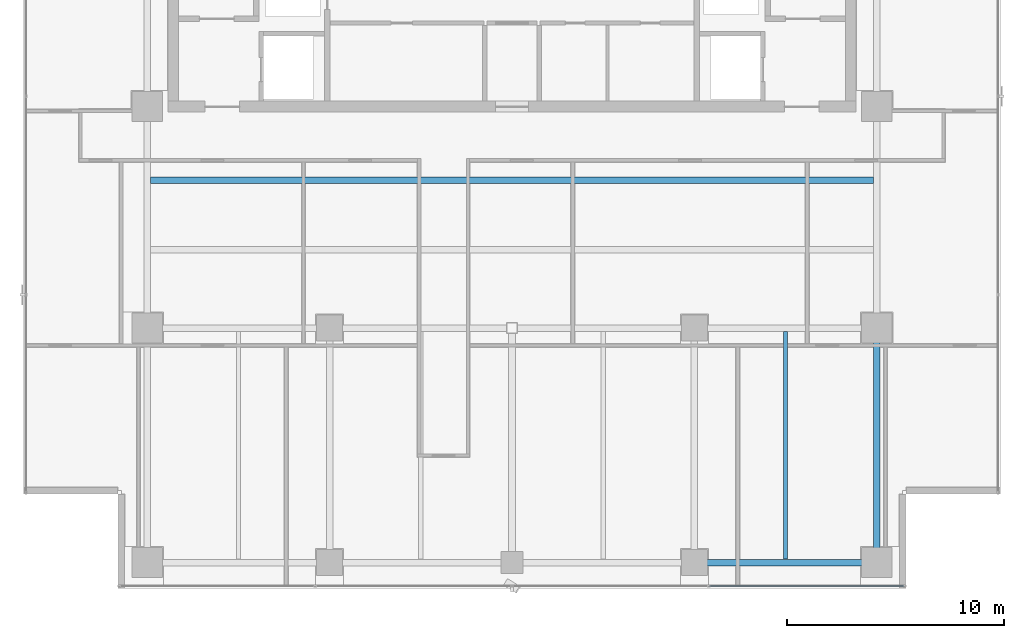
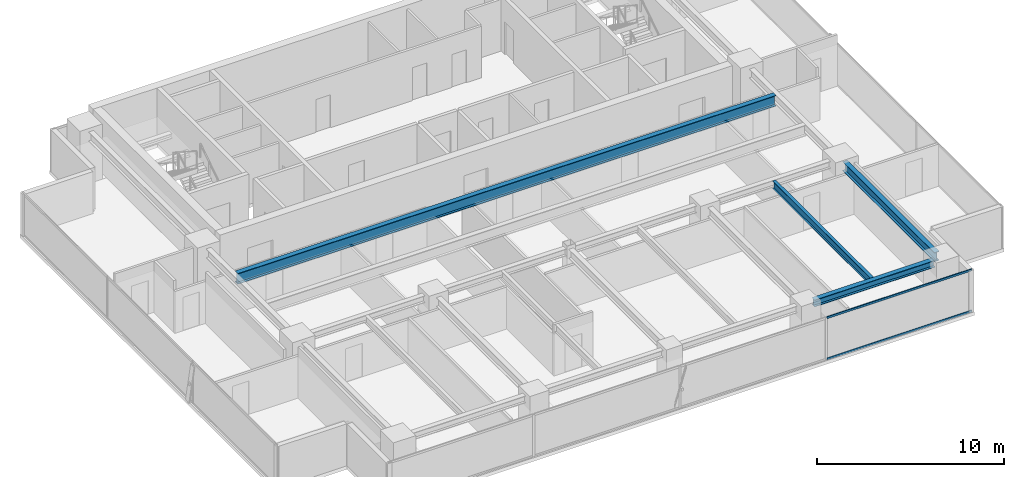
# One storey, part 10 of 25: 4 beams, 2 members, 1 element without a shape of its own.
"""IFC4 building model written with IfcOpenShell, lengths in metres."""

from ifc_helpers import new_model, si_unit, direction, frame, origin, origin_2d, place, context, subcontext, project, spatial, hollow_rectangle, i_section, extrude, source, transform, mapped, material, layer, layer_set, material_profile, profile_set, type_object, element, aggregate, save


model = new_model("IFC4")

# Units and contexts
model_context = context("Model", 3, precision=1e-05, world=origin(), true_north=direction((0.0, 1.0)))
body_context = subcontext(model_context, "Body", "Model", "MODEL_VIEW")
ifc_project = project(units=[si_unit("LENGTHUNIT", "METRE"), si_unit("AREAUNIT", "SQUARE_METRE"), si_unit("VOLUMEUNIT", "CUBIC_METRE"), si_unit("PLANEANGLEUNIT", "RADIAN"), si_unit("MASSUNIT", "GRAM", prefix="KILO")], contexts=[model_context])

# Site, building, storey
site_placement = place(None, origin())
site = spatial("IfcSite", under=ifc_project, at=site_placement, CompositionType="ELEMENT")
building_placement = place(site_placement, origin())
building = spatial("IfcBuilding", under=site, at=building_placement, Name="Sumidabori Civic Tower", CompositionType="ELEMENT")
storey_placement = place(building_placement, frame((0.0, 0.0, 246.800048828125)))
storey = spatial("IfcBuildingStorey", under=building, at=storey_placement, Name="L64", CompositionType="ELEMENT", Elevation=246.800048828125)

# Beams
ifc_material_1 = material(Name="Steel SN490", Category="steel")
ifc_material_profile_1 = material_profile(ifc_material_1, i_section(OverallWidth=0.300048828125, OverallDepth=0.60009765625, WebThickness=0.015380859375, FlangeThickness=0.030029296875, at=origin_2d()), Name="HE 600 B")
ifc_profile_set_1 = profile_set([ifc_material_profile_1], Name="Steel SN490")
beam_type_1 = type_object("IfcBeamType", Name="BM-GIRD-600", PredefinedType="BEAM", material=ifc_profile_set_1)
shared_shape_1 = source(origin(), body_context, "Body", "SweptSolid", [
    extrude(i_section(OverallWidth=0.300048828125, OverallDepth=0.60009765625, WebThickness=0.015380859375, FlangeThickness=0.030029296875, at=origin_2d()), origin(), (0.0, 0.0, 1.0), 9.840087890625),
])
beam_1_placement = place(storey_placement, frame((16.800048828125, -10.320068359375, 3.070068359375), z_axis=(0.0, 1.0, 0.0), x_axis=(-1.0, 0.0, 0.0)))
element("IfcBeam", 1, at=beam_1_placement, inside=storey, type_object=beam_type_1, Name="Primary Girder L64 GY-15", PredefinedType="BEAM", context=body_context, shape_type="MappedRepresentation", body=[
    mapped(shared_shape_1, transform((0.0, 0.0, 0.0), x_axis=(1.0, 0.0, 0.0), y_axis=(0.0, 1.0, 0.0), z_axis=(0.0, 0.0, 1.0), scale=1.0)),
])
ifc_material_profile_2 = material_profile(ifc_material_1, i_section(OverallWidth=0.300048828125, OverallDepth=0.699951171875, WebThickness=0.01708984375, FlangeThickness=0.031982421875, at=origin_2d()), Name="HE 700 B")
ifc_profile_set_2 = profile_set([ifc_material_profile_2], Name="Steel SN490")
beam_type_2 = type_object("IfcBeamType", Name="BM-GIRD-700", PredefinedType="BEAM", material=ifc_profile_set_2)
shared_shape_2 = source(origin(), body_context, "Body", "SweptSolid", [
    extrude(i_section(OverallWidth=0.300048828125, OverallDepth=0.699951171875, WebThickness=0.01708984375, FlangeThickness=0.031982421875, at=origin_2d()), origin(), (0.0, 0.0, 1.0), 33.2998046875),
])
beam_2_placement = place(storey_placement, frame((-16.64990234375, 6.800048828125, 3.02001953125), z_axis=(1.0, 0.0, 0.0), x_axis=(0.0, 1.0, 0.0)))
element("IfcBeam", 2, at=beam_2_placement, inside=storey, type_object=beam_type_2, Name="North Bay Floor Beam L64 JSTN-19", PredefinedType="BEAM", context=body_context, shape_type="MappedRepresentation", body=[
    mapped(shared_shape_2, transform((0.0, 0.0, 0.0), x_axis=(1.0, 0.0, 0.0), y_axis=(0.0, 1.0, 0.0), z_axis=(0.0, 0.0, 1.0), scale=1.0)),
])
ifc_material_profile_3 = material_profile(ifc_material_1, i_section(OverallWidth=0.300048828125, OverallDepth=0.449951171875, WebThickness=0.013916015625, FlangeThickness=0.02587890625, at=origin_2d()), Name="HE 450 B")
ifc_profile_set_3 = profile_set([ifc_material_profile_3], Name="Steel SN490")
beam_type_3 = type_object("IfcBeamType", Name="BM-GIRD-450", PredefinedType="BEAM", material=ifc_profile_set_3)
shared_shape_3 = source(origin(), body_context, "Body", "SweptSolid", [
    extrude(i_section(OverallWidth=0.300048828125, OverallDepth=0.449951171875, WebThickness=0.013916015625, FlangeThickness=0.02587890625, at=origin_2d()), origin(), (0.0, 0.0, 1.0), 7.440185546875),
])
beam_3_placement = place(storey_placement, frame((8.8798828125, -10.800048828125, 3.14501953125), z_axis=(1.0, 0.0, 0.0), x_axis=(0.0, 1.0, 0.0)))
element("IfcBeam", 3, at=beam_3_placement, inside=storey, type_object=beam_type_3, Name="Primary Girder L64 GX-04", PredefinedType="BEAM", context=body_context, shape_type="MappedRepresentation", body=[
    mapped(shared_shape_3, transform((0.0, 0.0, 0.0), x_axis=(1.0, 0.0, 0.0), y_axis=(0.0, 1.0, 0.0), z_axis=(0.0, 0.0, 1.0), scale=1.0)),
])
ifc_material_profile_4 = material_profile(ifc_material_1, i_section(OverallWidth=0.199951171875, OverallDepth=0.5, WebThickness=0.01025390625, FlangeThickness=0.01611328125, at=origin_2d()), Name="IPE 500")
ifc_profile_set_4 = profile_set([ifc_material_profile_4], Name="Steel SN490")
beam_type_4 = type_object("IfcBeamType", Name="BM-JST-500", PredefinedType="JOIST", material=ifc_profile_set_4)
shared_shape_4 = source(origin(), body_context, "Body", "SweptSolid", [
    extrude(i_section(OverallWidth=0.199951171875, OverallDepth=0.5, WebThickness=0.01025390625, FlangeThickness=0.01611328125, at=origin_2d()), origin(), (0.0, 0.0, 1.0), 10.5),
])
beam_4_placement = place(storey_placement, frame((12.60009765625, -10.64990234375, 3.119873046875), z_axis=(0.0, 1.0, 0.0), x_axis=(-1.0, 0.0, 0.0)))
element("IfcBeam", 4, at=beam_4_placement, inside=storey, type_object=beam_type_4, Name="Upper Lens N-S Floor Joist L64 JSTV-23", PredefinedType="JOIST", context=body_context, shape_type="MappedRepresentation", body=[
    mapped(shared_shape_4, transform((0.0, 0.0, 0.0), x_axis=(1.0, 0.0, 0.0), y_axis=(0.0, 1.0, 0.0), z_axis=(0.0, 0.0, 1.0), scale=1.0)),
])

# Curtain wall, members
ifc_material_2 = material(Name="Anodised Bronze Aluminium AW-6063-T6", Category="aluminium")
ifc_layer = layer(ifc_material_2, 0.179931640625, Name="Anodised Bronze Aluminium AW-6063-T6")
ifc_layer_set = layer_set([ifc_layer], Name="Anodised Bronze Aluminium AW-6063-T6")
curtain_wall_type = type_object("IfcCurtainWallType", Name="CW-SYS-5", PredefinedType="NOTDEFINED", material=ifc_layer_set)
curtain_wall_placement = place(storey_placement, origin())
curtain_wall = element("IfcCurtainWall", 5, at=curtain_wall_placement, inside=storey, type_object=curtain_wall_type, Name="Curtain Wall CW:L64:R01", PredefinedType="NOTDEFINED")
ifc_material_profile_5 = material_profile(ifc_material_2, hollow_rectangle(XDim=0.06005859375, YDim=0.1298828125, WallThickness=0.0048828125, at=origin_2d()), Name="ALU TRANSOM 130x60")
ifc_profile_set_5 = profile_set([ifc_material_profile_5], Name="Anodised Bronze Aluminium AW-6063-T6")
member_type = type_object("IfcMemberType", Name="CW-TRN-130", PredefinedType="USERDEFINED", material=ifc_profile_set_5)
shared_shape_5 = source(origin(), body_context, "Body", "SweptSolid", [
    extrude(hollow_rectangle(XDim=0.06005859375, YDim=0.1298828125, WallThickness=0.0048828125, at=origin_2d()), origin(), (0.0, 0.0, 1.0), 8.969970703125),
])
member_1_placement = place(storey_placement, frame((9.090087890625, -11.8798828125, 0.030029296875), z_axis=(1.0, 0.0, 0.0), x_axis=(0.0, 1.0, 0.0)))
member_1 = element("IfcMember", 6, at=member_1_placement, type_object=member_type, Name="CW-5 transom 4.1", ObjectType="TRANSOM", PredefinedType="USERDEFINED", context=body_context, shape_type="MappedRepresentation", body=[
    mapped(shared_shape_5, transform((0.0, 0.0, 0.0), x_axis=(1.0, 0.0, 0.0), y_axis=(0.0, 1.0, 0.0), z_axis=(0.0, 0.0, 1.0), scale=1.0)),
])
member_2_placement = place(storey_placement, frame((9.090087890625, -11.8798828125, 2.719970703125), z_axis=(1.0, 0.0, 0.0), x_axis=(0.0, 1.0, 0.0)))
member_2 = element("IfcMember", 7, at=member_2_placement, type_object=member_type, Name="CW-5 transom 4.2", ObjectType="TRANSOM", PredefinedType="USERDEFINED", context=body_context, shape_type="MappedRepresentation", body=[
    mapped(shared_shape_5, transform((0.0, 0.0, 0.0), x_axis=(1.0, 0.0, 0.0), y_axis=(0.0, 1.0, 0.0), z_axis=(0.0, 0.0, 1.0), scale=1.0)),
])
aggregate(curtain_wall, [member_1, member_2])

save(model, "model.ifc")
